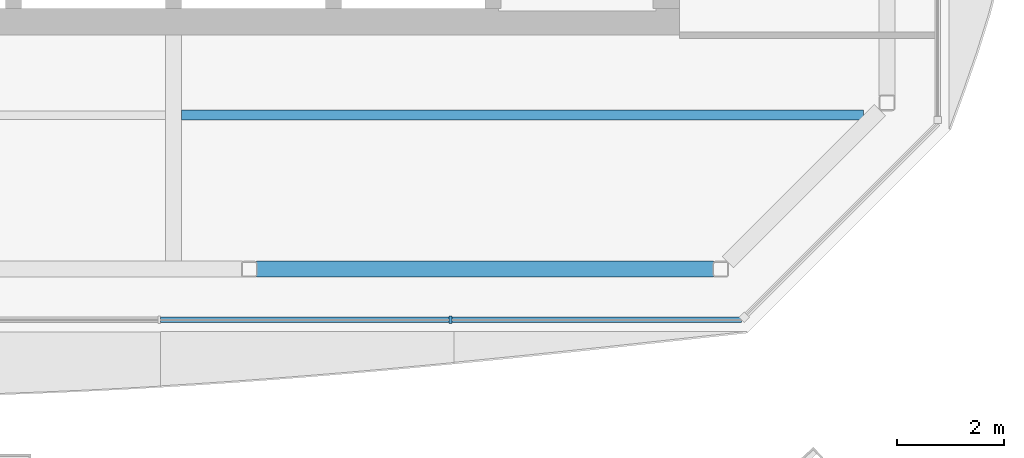
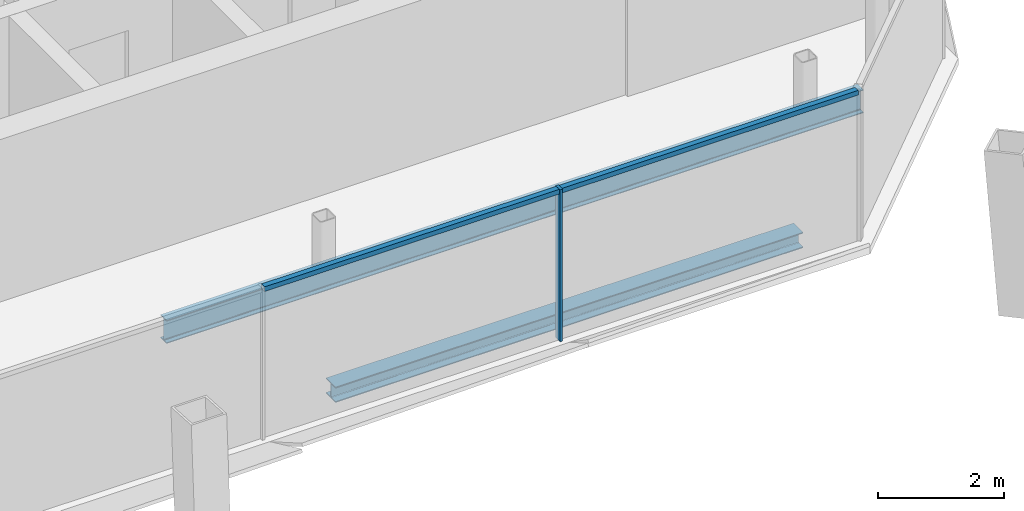
# One storey, part 4 of 16: 3 members, 2 beams, 1 element without a shape of its own.
"""IFC4 building model written with IfcOpenShell, lengths in metres."""

from ifc_helpers import new_model, si_unit, direction, frame, origin, origin_2d, place, context, subcontext, project, spatial, rectangle, i_section, extrude, material, material_profile, profile_set, type_object, element, aggregate, save


model = new_model("IFC4")

# Units and contexts
model_context = context("Model", 3, precision=1e-05, world=origin(), true_north=direction((0.0, 1.0)))
body_context = subcontext(model_context, "Body", "Model", "MODEL_VIEW")
ifc_project = project(units=[si_unit("LENGTHUNIT", "METRE"), si_unit("AREAUNIT", "SQUARE_METRE"), si_unit("VOLUMEUNIT", "CUBIC_METRE"), si_unit("PLANEANGLEUNIT", "RADIAN"), si_unit("MASSUNIT", "GRAM", prefix="KILO")], contexts=[model_context])

# Site, building, storey
site_placement = place(None, origin())
site = spatial("IfcSite", under=ifc_project, at=site_placement, CompositionType="ELEMENT")
building_placement = place(site_placement, origin())
building = spatial("IfcBuilding", under=site, at=building_placement, Name="Tskaro Facet Tower", CompositionType="ELEMENT")
storey_placement = place(building_placement, frame((0.0, 0.0, 248.699951171875)))
storey = spatial("IfcBuildingStorey", under=building, at=storey_placement, Name="L65", CompositionType="ELEMENT", Elevation=248.699951171875)

# Curtain wall, members
ifc_material_1 = material(Name="Bronze anodised aluminium 6063-T6", Category="aluminium")
curtain_wall_type = type_object("IfcCurtainWallType", Name="Bronze residence curtain wall (FW3)", PredefinedType="NOTDEFINED", material=ifc_material_1)
curtain_wall_placement = place(storey_placement, origin())
curtain_wall = element("IfcCurtainWall", 1, at=curtain_wall_placement, inside=storey, type_object=curtain_wall_type, Name="FW3 south facet L65", PredefinedType="NOTDEFINED")
ifc_material_profile_1 = material_profile(ifc_material_1, rectangle(XDim=0.050048828125, YDim=0.139892578125, at=origin_2d()), Name="Mullion 50x140")
ifc_profile_set_1 = profile_set([ifc_material_profile_1], Name="Bronze anodised aluminium 6063-T6")
member_type_1 = type_object("IfcMemberType", Name="FW3 bronze mullion 50x140", PredefinedType="MULLION", material=ifc_profile_set_1)
member_1_placement = place(storey_placement, frame((5.196533203125, -17.341064453125, 0.0), z_axis=(0.0, 0.0, 1.0), x_axis=(1.0, 0.0, 0.0)))
member_1 = element("IfcMember", 2, at=member_1_placement, type_object=member_type_1, Name="FW3 south mullion 4", PredefinedType="MULLION", context=body_context, shape_type="SweptSolid", body=[
    extrude(rectangle(XDim=0.050048828125, YDim=0.139892578125, at=origin_2d()), origin(), (0.0, 0.0, 1.0), 2.949951171875),
])
ifc_material_profile_2 = material_profile(ifc_material_1, rectangle(XDim=0.10009765625, YDim=0.090087890625, at=origin_2d()), Name="Transom 100x90")
ifc_profile_set_2 = profile_set([ifc_material_profile_2], Name="Bronze anodised aluminium 6063-T6")
member_type_2 = type_object("IfcMemberType", Name="FW3 bronze transom 100x90", PredefinedType="USERDEFINED", material=ifc_profile_set_2)
member_2_placement = place(storey_placement, frame((-0.242919921875, -17.341064453125, 2.905029296875), z_axis=(1.0, 0.0, 0.0), x_axis=(0.0, 1.0, 0.0)))
member_2 = element("IfcMember", 3, at=member_2_placement, type_object=member_type_2, Name="FW3 south transom 4.1", ObjectType="TRANSOM", PredefinedType="USERDEFINED", context=body_context, shape_type="SweptSolid", body=[
    extrude(rectangle(XDim=0.10009765625, YDim=0.090087890625, at=origin_2d()), origin(), (0.0, 0.0, 1.0), 5.41455078125),
])
member_3_placement = place(storey_placement, frame((5.2216796875, -17.341064453125, 2.905029296875), z_axis=(1.0, 0.0, 0.0), x_axis=(0.0, 1.0, 0.0)))
member_3 = element("IfcMember", 4, at=member_3_placement, type_object=member_type_2, Name="FW3 south transom 5.1", ObjectType="TRANSOM", PredefinedType="USERDEFINED", context=body_context, shape_type="SweptSolid", body=[
    extrude(rectangle(XDim=0.10009765625, YDim=0.090087890625, at=origin_2d()), origin(), (0.0, 0.0, 1.0), 5.439208984375),
])
aggregate(curtain_wall, [member_1, member_2, member_3])

# Beams
ifc_material_2 = material(Name="Steel S355J2", Category="steel")
ifc_material_profile_3 = material_profile(ifc_material_2, i_section(OverallWidth=0.300048828125, OverallDepth=0.300048828125, WebThickness=0.010986328125, FlangeThickness=0.01904296875, FilletRadius=0.027099609375, at=origin_2d()), Name="HE 300 B")
ifc_profile_set_3 = profile_set([ifc_material_profile_3], Name="Steel S355J2")
beam_type_1 = type_object("IfcBeamType", Name="HE 300 B ring beam", PredefinedType="BEAM", material=ifc_profile_set_3)
beam_1_placement = place(storey_placement, frame((1.552978515625, -16.39111328125, -0.2900390625), z_axis=(1.0, 0.0, 0.0), x_axis=(0.0, 1.0, 0.0)))
element("IfcBeam", 5, at=beam_1_placement, inside=storey, type_object=beam_type_1, Name="HE 300 B EB3-5", PredefinedType="BEAM", context=body_context, shape_type="SweptSolid", body=[
    extrude(i_section(OverallWidth=0.300048828125, OverallDepth=0.300048828125, WebThickness=0.010986328125, FlangeThickness=0.01904296875, FilletRadius=0.027099609375, at=origin_2d()), origin(), (0.0, 0.0, 1.0), 8.5849609375),
])
ifc_material_profile_4 = material_profile(ifc_material_2, i_section(OverallWidth=0.18994140625, OverallDepth=0.449951171875, WebThickness=0.009521484375, FlangeThickness=0.0146484375, FilletRadius=0.02099609375, at=origin_2d()), Name="IPE 450")
ifc_profile_set_4 = profile_set([ifc_material_profile_4], Name="Steel S355J2")
beam_type_2 = type_object("IfcBeamType", Name="IPE 450 long secondary beam", PredefinedType="BEAM", material=ifc_profile_set_4)
beam_2_placement = place(storey_placement, frame((0.14990234375, -13.5, -0.364990234375), z_axis=(1.0, 0.0, 0.0), x_axis=(0.0, 1.0, 0.0)))
element("IfcBeam", 6, at=beam_2_placement, inside=storey, type_object=beam_type_2, Name="IPE 450 LSB2a-3-5", PredefinedType="BEAM", context=body_context, shape_type="SweptSolid", body=[
    extrude(i_section(OverallWidth=0.18994140625, OverallDepth=0.449951171875, WebThickness=0.009521484375, FlangeThickness=0.0146484375, FilletRadius=0.02099609375, at=origin_2d()), origin(), (0.0, 0.0, 1.0), 12.797119140625),
])

save(model, "model.ifc")
